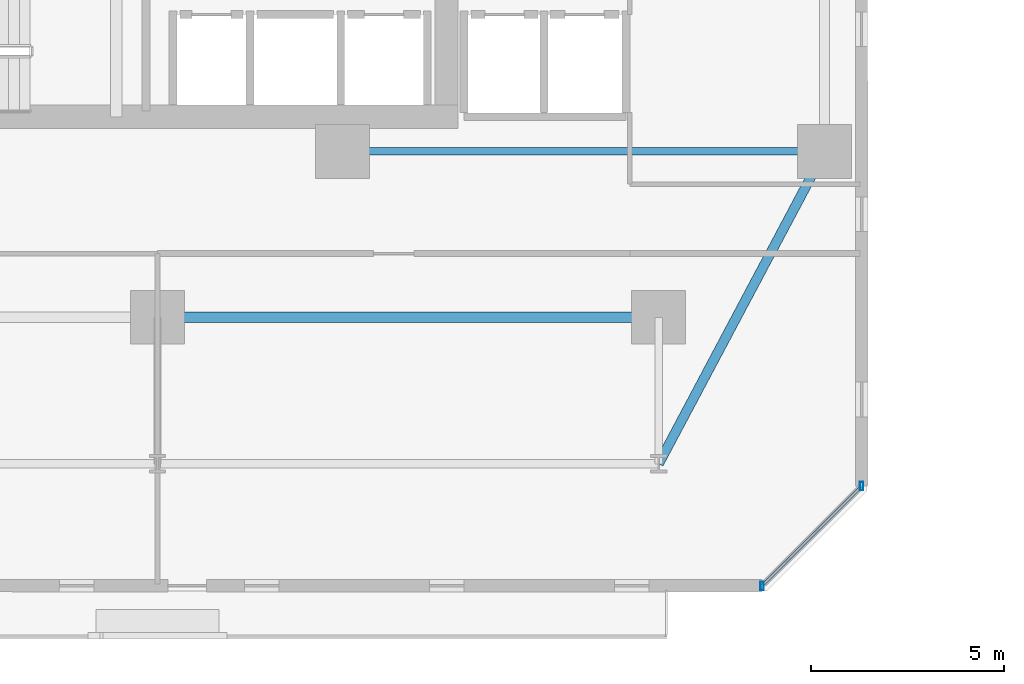
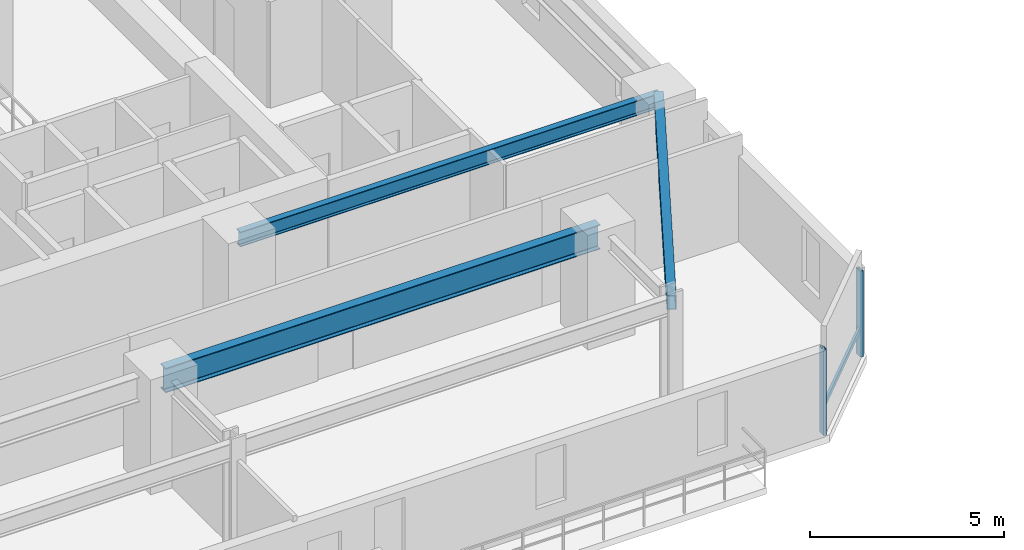
# One storey, part 5 of 33: 3 beams, 3 members, 1 element without a shape of its own.
"""IFC4 building model written with IfcOpenShell, lengths in metres."""

from ifc_helpers import new_model, si_unit, direction, frame, origin, origin_2d, place, context, subcontext, project, spatial, hollow_rectangle, i_section, extrude, material, material_profile, profile_set, type_object, element, aggregate, save


model = new_model("IFC4")

# Units and contexts
model_context = context("Model", 3, precision=1e-05, world=origin(), true_north=direction((0.0, 1.0)))
body_context = subcontext(model_context, "Body", "Model", "MODEL_VIEW")
ifc_project = project(units=[si_unit("LENGTHUNIT", "METRE"), si_unit("AREAUNIT", "SQUARE_METRE"), si_unit("VOLUMEUNIT", "CUBIC_METRE"), si_unit("PLANEANGLEUNIT", "RADIAN"), si_unit("MASSUNIT", "GRAM", prefix="KILO")], contexts=[model_context])

# Site, building, storey
site_placement = place(None, origin())
site = spatial("IfcSite", under=ifc_project, at=site_placement, CompositionType="ELEMENT")
building_placement = place(site_placement, origin())
building = spatial("IfcBuilding", under=site, at=building_placement, Name="Thornwick Lancets Civic Towers", CompositionType="ELEMENT")
storey_placement = place(building_placement, frame((0.0, 0.0, 35.10009765625)))
storey = spatial("IfcBuildingStorey", under=building, at=storey_placement, Name="L08", CompositionType="ELEMENT", Elevation=35.10009765625)

# Beams
ifc_material_1 = material(Name="Steel S355JR", Category="steel")
ifc_material_profile_1 = material_profile(ifc_material_1, i_section(OverallWidth=0.26806640625, OverallDepth=0.769775390625, WebThickness=0.015625, FlangeThickness=0.025390625, FilletRadius=0.0166015625, at=origin_2d()), Name="UKB 762x267x197")
ifc_profile_set_1 = profile_set([ifc_material_profile_1], Name="Steel S355JR")
beam_type_1 = type_object("IfcBeamType", Name="BM_GIRD_762_197", PredefinedType="BEAM", material=ifc_profile_set_1)
beam_1_placement = place(storey_placement, frame((25.580078125, 9.699951171875, 2.97509765625), z_axis=(1.0, 0.0, 0.0), x_axis=(0.0, 1.0, 0.0)))
element("IfcBeam", 1, at=beam_1_placement, inside=storey, type_object=beam_type_1, Name="BM-SPINE-L08-A-1-2", PredefinedType="BEAM", context=body_context, shape_type="SweptSolid", body=[
    extrude(i_section(OverallWidth=0.26806640625, OverallDepth=0.769775390625, WebThickness=0.015625, FlangeThickness=0.025390625, FilletRadius=0.0166015625, at=origin_2d()), origin(), (0.0, 0.0, 1.0), 12.919921875),
])
ifc_material_profile_2 = material_profile(ifc_material_1, i_section(OverallWidth=0.19287109375, OverallDepth=0.46728515625, WebThickness=0.011474609375, FlangeThickness=0.01953125, FilletRadius=0.01025390625, at=origin_2d()), Name="UKB 457x191x98")
ifc_profile_set_2 = profile_set([ifc_material_profile_2], Name="Steel S355JR")
beam_type_2 = type_object("IfcBeamType", Name="BM_JOIST_457_98", PredefinedType="JOIST", material=ifc_profile_set_2)
beam_2_placement = place(storey_placement, frame((30.300048828125, 14.0, 3.126220703125), z_axis=(1.0, 0.0, 0.0), x_axis=(0.0, 1.0, 0.0)))
element("IfcBeam", 2, at=beam_2_placement, inside=storey, type_object=beam_type_2, Name="BM-RADIN-L08-A04", PredefinedType="JOIST", context=body_context, shape_type="SweptSolid", body=[
    extrude(i_section(OverallWidth=0.19287109375, OverallDepth=0.46728515625, WebThickness=0.011474609375, FlangeThickness=0.01953125, FilletRadius=0.01025390625, at=origin_2d()), origin(), (0.0, 0.0, 1.0), 12.5),
])
ifc_material_profile_3 = material_profile(ifc_material_1, hollow_rectangle(XDim=0.25, YDim=0.449951171875, WallThickness=0.01611328125, at=origin_2d()), Name="RHS 450x250x16")
ifc_profile_set_3 = profile_set([ifc_material_profile_3], Name="Steel S355JR")
beam_type_3 = type_object("IfcBeamType", Name="BM_RING_RHS450", PredefinedType="BEAM", material=ifc_profile_set_3)
beam_3_placement = place(storey_placement, frame((38.5, 5.89990234375, 3.135009765625), z_axis=(0.468889189758, 0.883256999818, 0.0), x_axis=(-0.883256999818, 0.468889189758, 0.0)))
element("IfcBeam", 3, at=beam_3_placement, inside=storey, type_object=beam_type_3, Name="BM-CHAMF-L08-A-C0", PredefinedType="BEAM", context=body_context, shape_type="SweptSolid", body=[
    extrude(hollow_rectangle(XDim=0.25, YDim=0.449951171875, WallThickness=0.01611328125, at=origin_2d()), origin(), (0.0, 0.0, 1.0), 9.170654296875),
])

# Curtain wall, members
ifc_material_2 = material(Name="Low-zone chamfered-corner unitised glass curtain wall", Category="glass")
curtain_wall_type = type_object("IfcCurtainWallType", Name="CW_SYS_03", PredefinedType="NOTDEFINED", material=ifc_material_2)
curtain_wall_placement = place(storey_placement, origin())
curtain_wall = element("IfcCurtainWall", 4, at=curtain_wall_placement, inside=storey, type_object=curtain_wall_type, Name="L08 Curtain Wall CW-L08-A-E1", PredefinedType="NOTDEFINED")
ifc_material_3 = material(Name="Thermally broken bronze aluminium S355", Category="steel")
ifc_material_profile_4 = material_profile(ifc_material_3, hollow_rectangle(XDim=0.090087890625, YDim=0.219970703125, WallThickness=0.00634765625, at=origin_2d()), Name="RHS 220x90x6.3")
ifc_profile_set_4 = profile_set([ifc_material_profile_4], Name="Thermally broken bronze aluminium S355")
member_type_1 = type_object("IfcMemberType", Name="CW_MUL_220", PredefinedType="MULLION", material=ifc_profile_set_4)
member_1_placement = place(storey_placement, frame((41.18115234375, 2.735107421875, 0.0), z_axis=(0.0, 0.0, 1.0), x_axis=(1.0, 0.0, 0.0)))
member_1 = element("IfcMember", 5, at=member_1_placement, type_object=member_type_1, Name="CW-L08-A-E1 Mullion 0", PredefinedType="MULLION", context=body_context, shape_type="SweptSolid", body=[
    extrude(hollow_rectangle(XDim=0.090087890625, YDim=0.219970703125, WallThickness=0.00634765625, at=origin_2d()), origin(), (0.0, 0.0, 1.0), 2.699951171875),
])
member_2_placement = place(storey_placement, frame((43.764892578125, 5.31884765625, 0.0), z_axis=(0.0, 0.0, 1.0), x_axis=(1.0, 0.0, 0.0)))
member_2 = element("IfcMember", 6, at=member_2_placement, type_object=member_type_1, Name="CW-L08-A-E1 Mullion 1", PredefinedType="MULLION", context=body_context, shape_type="SweptSolid", body=[
    extrude(hollow_rectangle(XDim=0.090087890625, YDim=0.219970703125, WallThickness=0.00634765625, at=origin_2d()), origin(), (0.0, 0.0, 1.0), 2.699951171875),
])
ifc_material_profile_5 = material_profile(ifc_material_3, hollow_rectangle(XDim=0.074951171875, YDim=0.14990234375, WallThickness=0.0048828125, at=origin_2d()), Name="RHS 150x75x5")
ifc_profile_set_5 = profile_set([ifc_material_profile_5], Name="Thermally broken bronze aluminium S355")
member_type_2 = type_object("IfcMemberType", Name="CW_TRN_150", PredefinedType="USERDEFINED", material=ifc_profile_set_5)
member_3_placement = place(storey_placement, frame((41.1953125, 2.749267578125, 0.849853515625), z_axis=(0.707106781187, 0.707106781187, 0.0), x_axis=(-0.707106781187, 0.707106781187, 0.0)))
member_3 = element("IfcMember", 7, at=member_3_placement, type_object=member_type_2, Name="CW-L08-A-E1 Transom 0", ObjectType="TRANSOM", PredefinedType="USERDEFINED", context=body_context, shape_type="SweptSolid", body=[
    extrude(hollow_rectangle(XDim=0.074951171875, YDim=0.14990234375, WallThickness=0.0048828125, at=origin_2d()), origin(), (0.0, 0.0, 1.0), 3.614013671875),
])
aggregate(curtain_wall, [member_1, member_2, member_3])

save(model, "model.ifc")
